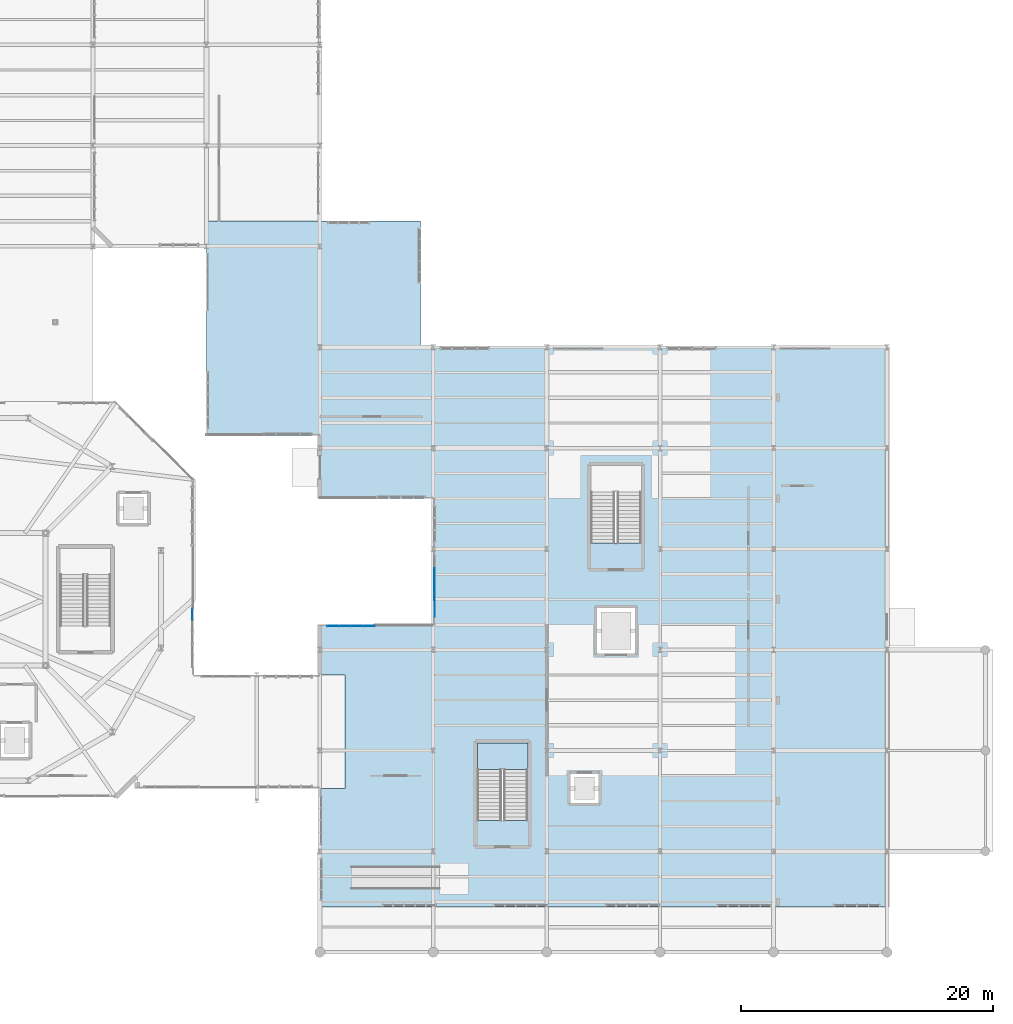
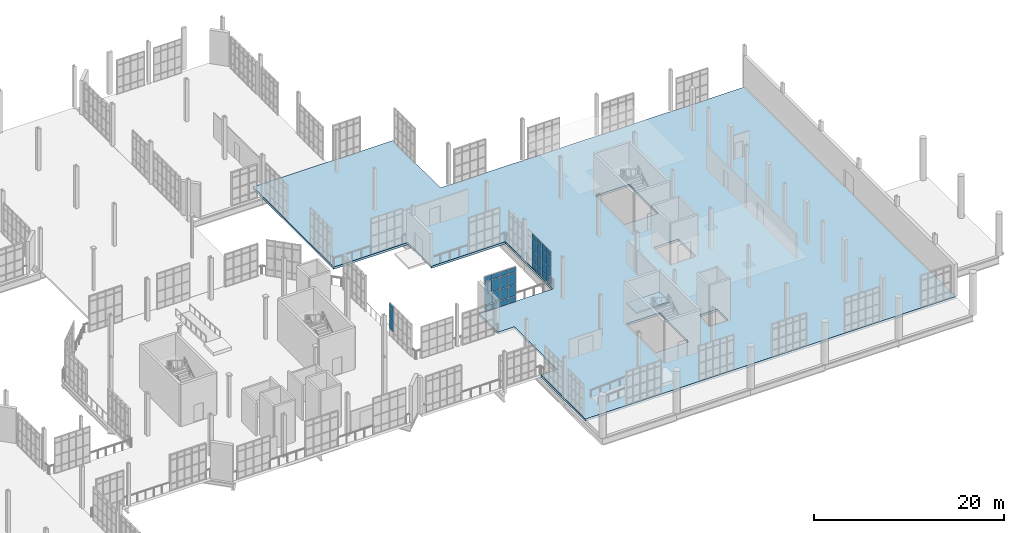
# One storey, part 151 of 189: 35 plates, 2 slabs, 4 elements without a shape of their own.
"""IFC4 building model written with IfcOpenShell, lengths in metres."""

from ifc_helpers import new_model, si_unit, direction, frame, origin, origin_2d, place, context, subcontext, project, spatial, polyline, rectangle, outline, extrude, material, layer, layer_set, type_object, element, aggregate, save


model = new_model("IFC4")

# Units and contexts
model_context = context("Model", 3, precision=1e-05, world=origin(), true_north=direction((0.0, 1.0)))
body_context = subcontext(model_context, "Body", "Model", "MODEL_VIEW")
ifc_project = project(units=[si_unit("LENGTHUNIT", "METRE"), si_unit("AREAUNIT", "SQUARE_METRE"), si_unit("VOLUMEUNIT", "CUBIC_METRE"), si_unit("PLANEANGLEUNIT", "RADIAN"), si_unit("MASSUNIT", "GRAM", prefix="KILO"), si_unit("THERMODYNAMICTEMPERATUREUNIT", "KELVIN"), si_unit("POWERUNIT", "WATT")], contexts=[model_context])

# Site, building, storey
site_placement = place(None, origin())
site = spatial("IfcSite", under=ifc_project, at=site_placement, CompositionType="ELEMENT")
building_placement = place(site_placement, origin())
building = spatial("IfcBuilding", under=site, at=building_placement, Name="Zelmaris Science Centre", CompositionType="ELEMENT")
storey_placement = place(building_placement, origin())
storey = spatial("IfcBuildingStorey", under=building, at=storey_placement, Name="L00", CompositionType="ELEMENT", Elevation=0.0)

# Curtain wall, plates
ifc_material_1 = material(Name="Anodised architectural aluminium 6063-T6", Category="aluminium")
ifc_layer_1 = layer(ifc_material_1, 0.199951171875, Name="Anodised architectural aluminium 6063-T6")
ifc_layer_set_1 = layer_set([ifc_layer_1], Name="Anodised architectural aluminium 6063-T6")
curtain_wall_type_1 = type_object("IfcCurtainWallType", Name="Curtain Wall CW-02", PredefinedType="USERDEFINED", material=ifc_layer_set_1)
curtain_wall_1_placement = place(storey_placement, origin())
curtain_wall_1 = element("IfcCurtainWall", 1, at=curtain_wall_1_placement, inside=storey, type_object=curtain_wall_type_1, Name="L00 Unitised curtain wall 66", ObjectType="GLAZED CURTAIN WALL", PredefinedType="USERDEFINED")
ifc_material_2 = material(Name="Laminated hurricane-rated low-E insulated glazing", Category="glass")
ifc_layer_2 = layer(ifc_material_2, 0.028076171875, Name="Laminated hurricane-rated low-E insulated glazing")
ifc_layer_set_2 = layer_set([ifc_layer_2], Name="Laminated hurricane-rated low-E insulated glazing")
plate_type_1 = type_object("IfcPlateType", Name="Curtain Glazing Panel CWP-2 28mm", PredefinedType="CURTAIN_PANEL", material=ifc_layer_set_2)
plate_1_placement = place(storey_placement, frame((109.04052734375, 33.8798828125, 0.052001953125), z_axis=(0.0, 0.0, 1.0), x_axis=(0.999999999666, 2.5840455e-05, 0.0)))
plate_1 = element("IfcPlate", 2, at=plate_1_placement, type_object=plate_type_1, Name="CW-02 panel 1.1", PredefinedType="CURTAIN_PANEL", context=body_context, shape_type="SweptSolid", body=[
    extrude(rectangle(XDim=0.866943359375, YDim=0.028076171875, at=origin_2d()), origin(), (0.0, 0.0, 1.0), 0.74951171875),
])
plate_2_placement = place(storey_placement, frame((109.04052734375, 33.8798828125, 0.86865234375), z_axis=(0.0, 0.0, 1.0), x_axis=(0.999999999666, 2.5840455e-05, 0.0)))
plate_2 = element("IfcPlate", 3, at=plate_2_placement, type_object=plate_type_1, Name="CW-02 panel 1.2", PredefinedType="CURTAIN_PANEL", context=body_context, shape_type="SweptSolid", body=[
    extrude(rectangle(XDim=0.866943359375, YDim=0.028076171875, at=origin_2d()), origin(), (0.0, 0.0, 1.0), 1.390380859375),
])
plate_3_placement = place(storey_placement, frame((109.04052734375, 33.8798828125, 2.325927734375), z_axis=(0.0, 0.0, 1.0), x_axis=(0.999999999666, 2.5840455e-05, 0.0)))
plate_3 = element("IfcPlate", 4, at=plate_3_placement, type_object=plate_type_1, Name="CW-02 panel 1.3", PredefinedType="CURTAIN_PANEL", context=body_context, shape_type="SweptSolid", body=[
    extrude(rectangle(XDim=0.866943359375, YDim=0.028076171875, at=origin_2d()), origin(), (0.0, 0.0, 1.0), 1.54052734375),
])
plate_4_placement = place(storey_placement, frame((109.04052734375, 33.8798828125, 3.933349609375), z_axis=(0.0, 0.0, 1.0), x_axis=(0.999999999666, 2.5840455e-05, 0.0)))
plate_4 = element("IfcPlate", 5, at=plate_4_placement, type_object=plate_type_1, Name="CW-02 panel 1.4", PredefinedType="CURTAIN_PANEL", context=body_context, shape_type="SweptSolid", body=[
    extrude(rectangle(XDim=0.866943359375, YDim=0.028076171875, at=origin_2d()), origin(), (0.0, 0.0, 1.0), 0.599609375),
])
plate_5_placement = place(storey_placement, frame((109.9912109375, 33.8798828125, 0.052001953125), z_axis=(0.0, 0.0, 1.0), x_axis=(0.999999999666, 2.5840455e-05, 0.0)))
plate_5 = element("IfcPlate", 6, at=plate_5_placement, type_object=plate_type_1, Name="CW-02 panel 2.1", PredefinedType="CURTAIN_PANEL", context=body_context, shape_type="SweptSolid", body=[
    extrude(rectangle(XDim=0.900390625, YDim=0.028076171875, at=origin_2d()), origin(), (0.0, 0.0, 1.0), 0.74951171875),
])
plate_6_placement = place(storey_placement, frame((109.9912109375, 33.8798828125, 0.86865234375), z_axis=(0.0, 0.0, 1.0), x_axis=(0.999999999666, 2.5840455e-05, 0.0)))
plate_6 = element("IfcPlate", 7, at=plate_6_placement, type_object=plate_type_1, Name="CW-02 panel 2.2", PredefinedType="CURTAIN_PANEL", context=body_context, shape_type="SweptSolid", body=[
    extrude(rectangle(XDim=0.900390625, YDim=0.028076171875, at=origin_2d()), origin(), (0.0, 0.0, 1.0), 1.390380859375),
])
plate_7_placement = place(storey_placement, frame((109.9912109375, 33.8798828125, 2.325927734375), z_axis=(0.0, 0.0, 1.0), x_axis=(0.999999999666, 2.5840455e-05, 0.0)))
plate_7 = element("IfcPlate", 8, at=plate_7_placement, type_object=plate_type_1, Name="CW-02 panel 2.3", PredefinedType="CURTAIN_PANEL", context=body_context, shape_type="SweptSolid", body=[
    extrude(rectangle(XDim=0.900390625, YDim=0.028076171875, at=origin_2d()), origin(), (0.0, 0.0, 1.0), 1.54052734375),
])
plate_8_placement = place(storey_placement, frame((109.9912109375, 33.8798828125, 3.933349609375), z_axis=(0.0, 0.0, 1.0), x_axis=(0.999999999666, 2.5840455e-05, 0.0)))
plate_8 = element("IfcPlate", 9, at=plate_8_placement, type_object=plate_type_1, Name="CW-02 panel 2.4", PredefinedType="CURTAIN_PANEL", context=body_context, shape_type="SweptSolid", body=[
    extrude(rectangle(XDim=0.900390625, YDim=0.028076171875, at=origin_2d()), origin(), (0.0, 0.0, 1.0), 0.599609375),
])
plate_9_placement = place(storey_placement, frame((110.958740234375, 33.8798828125, 0.052001953125), z_axis=(0.0, 0.0, 1.0), x_axis=(0.999999999666, 2.5840455e-05, 0.0)))
plate_9 = element("IfcPlate", 10, at=plate_9_placement, type_object=plate_type_1, Name="CW-02 panel 3.1", PredefinedType="CURTAIN_PANEL", context=body_context, shape_type="SweptSolid", body=[
    extrude(rectangle(XDim=0.900390625, YDim=0.028076171875, at=origin_2d()), origin(), (0.0, 0.0, 1.0), 0.74951171875),
])
plate_10_placement = place(storey_placement, frame((110.958740234375, 33.8798828125, 0.86865234375), z_axis=(0.0, 0.0, 1.0), x_axis=(0.999999999666, 2.5840455e-05, 0.0)))
plate_10 = element("IfcPlate", 11, at=plate_10_placement, type_object=plate_type_1, Name="CW-02 panel 3.2", PredefinedType="CURTAIN_PANEL", context=body_context, shape_type="SweptSolid", body=[
    extrude(rectangle(XDim=0.900390625, YDim=0.028076171875, at=origin_2d()), origin(), (0.0, 0.0, 1.0), 1.390380859375),
])
plate_11_placement = place(storey_placement, frame((110.958740234375, 33.8798828125, 2.325927734375), z_axis=(0.0, 0.0, 1.0), x_axis=(0.999999999666, 2.5840455e-05, 0.0)))
plate_11 = element("IfcPlate", 12, at=plate_11_placement, type_object=plate_type_1, Name="CW-02 panel 3.3", PredefinedType="CURTAIN_PANEL", context=body_context, shape_type="SweptSolid", body=[
    extrude(rectangle(XDim=0.900390625, YDim=0.028076171875, at=origin_2d()), origin(), (0.0, 0.0, 1.0), 1.54052734375),
])
plate_12_placement = place(storey_placement, frame((110.958740234375, 33.8798828125, 3.933349609375), z_axis=(0.0, 0.0, 1.0), x_axis=(0.999999999666, 2.5840455e-05, 0.0)))
plate_12 = element("IfcPlate", 13, at=plate_12_placement, type_object=plate_type_1, Name="CW-02 panel 3.4", PredefinedType="CURTAIN_PANEL", context=body_context, shape_type="SweptSolid", body=[
    extrude(rectangle(XDim=0.900390625, YDim=0.028076171875, at=origin_2d()), origin(), (0.0, 0.0, 1.0), 0.599609375),
])
plate_13_placement = place(storey_placement, frame((111.909423828125, 33.8798828125, 0.052001953125), z_axis=(0.0, 0.0, 1.0), x_axis=(0.999999999666, 2.5840455e-05, 0.0)))
plate_13 = element("IfcPlate", 14, at=plate_13_placement, type_object=plate_type_1, Name="CW-02 panel 4.1", PredefinedType="CURTAIN_PANEL", context=body_context, shape_type="SweptSolid", body=[
    extrude(rectangle(XDim=0.866943359375, YDim=0.028076171875, at=origin_2d()), origin(), (0.0, 0.0, 1.0), 0.74951171875),
])
plate_14_placement = place(storey_placement, frame((111.909423828125, 33.8798828125, 0.86865234375), z_axis=(0.0, 0.0, 1.0), x_axis=(0.999999999666, 2.5840455e-05, 0.0)))
plate_14 = element("IfcPlate", 15, at=plate_14_placement, type_object=plate_type_1, Name="CW-02 panel 4.2", PredefinedType="CURTAIN_PANEL", context=body_context, shape_type="SweptSolid", body=[
    extrude(rectangle(XDim=0.866943359375, YDim=0.028076171875, at=origin_2d()), origin(), (0.0, 0.0, 1.0), 1.390380859375),
])
plate_15_placement = place(storey_placement, frame((111.909423828125, 33.8798828125, 2.325927734375), z_axis=(0.0, 0.0, 1.0), x_axis=(0.999999999666, 2.5840455e-05, 0.0)))
plate_15 = element("IfcPlate", 16, at=plate_15_placement, type_object=plate_type_1, Name="CW-02 panel 4.3", PredefinedType="CURTAIN_PANEL", context=body_context, shape_type="SweptSolid", body=[
    extrude(rectangle(XDim=0.866943359375, YDim=0.028076171875, at=origin_2d()), origin(), (0.0, 0.0, 1.0), 1.54052734375),
])
plate_16_placement = place(storey_placement, frame((111.909423828125, 33.8798828125, 3.933349609375), z_axis=(0.0, 0.0, 1.0), x_axis=(0.999999999666, 2.5840455e-05, 0.0)))
plate_16 = element("IfcPlate", 17, at=plate_16_placement, type_object=plate_type_1, Name="CW-02 panel 4.4", PredefinedType="CURTAIN_PANEL", context=body_context, shape_type="SweptSolid", body=[
    extrude(rectangle(XDim=0.866943359375, YDim=0.028076171875, at=origin_2d()), origin(), (0.0, 0.0, 1.0), 0.599609375),
])
aggregate(curtain_wall_1, [plate_1, plate_2, plate_3, plate_4, plate_5, plate_6, plate_7, plate_8, plate_9, plate_10, plate_11, plate_12, plate_13, plate_14, plate_15, plate_16])

ifc_layer_3 = layer(ifc_material_1, 0.2099609375, Name="Anodised architectural aluminium 6063-T6")
ifc_layer_set_3 = layer_set([ifc_layer_3], Name="Anodised architectural aluminium 6063-T6")
curtain_wall_type_2 = type_object("IfcCurtainWallType", Name="Curtain Wall CW-03", PredefinedType="USERDEFINED", material=ifc_layer_set_3)
curtain_wall_2_placement = place(storey_placement, origin())
curtain_wall_2 = element("IfcCurtainWall", 18, at=curtain_wall_2_placement, inside=storey, type_object=curtain_wall_type_2, Name="L00 Unitised curtain wall 63", ObjectType="GLAZED CURTAIN WALL", PredefinedType="USERDEFINED")
ifc_layer_4 = layer(ifc_material_2, 0.02587890625, Name="Laminated hurricane-rated low-E insulated glazing")
ifc_layer_set_4 = layer_set([ifc_layer_4], Name="Laminated hurricane-rated low-E insulated glazing")
plate_type_2 = type_object("IfcPlateType", Name="Curtain Glazing Panel CWP-3 26mm", PredefinedType="CURTAIN_PANEL", material=ifc_layer_set_4)
plate_17_placement = place(storey_placement, frame((97.8798828125, 34.82177734375, 0.863525390625), z_axis=(0.0, 0.0, 1.0), x_axis=(0.0, -1.0, 0.0)))
plate_17 = element("IfcPlate", 19, at=plate_17_placement, type_object=plate_type_2, Name="CW-03 panel 1.2", PredefinedType="CURTAIN_PANEL", context=body_context, shape_type="SweptSolid", body=[
    extrude(rectangle(XDim=0.85595703125, YDim=0.02587890625, at=origin_2d()), origin(), (0.0, 0.0, 1.0), 1.205078125),
])
plate_18_placement = place(storey_placement, frame((97.8798828125, 34.82177734375, 2.12548828125), z_axis=(0.0, 0.0, 1.0), x_axis=(0.0, -1.0, 0.0)))
plate_18 = element("IfcPlate", 20, at=plate_18_placement, type_object=plate_type_2, Name="CW-03 panel 1.3", PredefinedType="CURTAIN_PANEL", context=body_context, shape_type="SweptSolid", body=[
    extrude(rectangle(XDim=0.85595703125, YDim=0.02587890625, at=origin_2d()), origin(), (0.0, 0.0, 1.0), 1.35498046875),
])
plate_19_placement = place(storey_placement, frame((97.8798828125, 34.82177734375, 3.53759765625), z_axis=(0.0, 0.0, 1.0), x_axis=(0.0, -1.0, 0.0)))
plate_19 = element("IfcPlate", 21, at=plate_19_placement, type_object=plate_type_2, Name="CW-03 panel 1.4", PredefinedType="CURTAIN_PANEL", context=body_context, shape_type="SweptSolid", body=[
    extrude(rectangle(XDim=0.85595703125, YDim=0.02587890625, at=origin_2d()), origin(), (0.0, 0.0, 1.0), 0.614501953125),
])
aggregate(curtain_wall_2, [plate_17, plate_18, plate_19])

ifc_layer_5 = layer(ifc_material_1, 0.219970703125, Name="Anodised architectural aluminium 6063-T6")
ifc_layer_set_5 = layer_set([ifc_layer_5], Name="Anodised architectural aluminium 6063-T6")
curtain_wall_type_3 = type_object("IfcCurtainWallType", Name="Curtain Wall CW-04", PredefinedType="USERDEFINED", material=ifc_layer_set_5)
curtain_wall_3_placement = place(storey_placement, origin())
curtain_wall_3 = element("IfcCurtainWall", 22, at=curtain_wall_3_placement, inside=storey, type_object=curtain_wall_type_3, Name="L00 Unitised curtain wall 68", ObjectType="GLAZED CURTAIN WALL", PredefinedType="USERDEFINED")
ifc_layer_6 = layer(ifc_material_2, 0.02392578125, Name="Laminated hurricane-rated low-E insulated glazing")
ifc_layer_set_6 = layer_set([ifc_layer_6], Name="Laminated hurricane-rated low-E insulated glazing")
plate_type_3 = type_object("IfcPlateType", Name="Curtain Glazing Panel CWP-4 24mm", PredefinedType="CURTAIN_PANEL", material=ifc_layer_set_6)
plate_20_placement = place(storey_placement, frame((117.109619140625, 35.069091796875, 0.037109375), z_axis=(0.0, 0.0, 1.0), x_axis=(-0.000347413785, 0.999999939652, 0.0)))
plate_20 = element("IfcPlate", 23, at=plate_20_placement, type_object=plate_type_3, Name="CW-04 panel 1.1", PredefinedType="CURTAIN_PANEL", context=body_context, shape_type="SweptSolid", body=[
    extrude(rectangle(XDim=0.900634765625, YDim=0.02392578125, at=origin_2d()), origin(), (0.0, 0.0, 1.0), 0.77197265625),
])
plate_21_placement = place(storey_placement, frame((117.109619140625, 35.069091796875, 0.86083984375), z_axis=(0.0, 0.0, 1.0), x_axis=(-0.000347413785, 0.999999939652, 0.0)))
plate_21 = element("IfcPlate", 24, at=plate_21_placement, type_object=plate_type_3, Name="CW-04 panel 1.2", PredefinedType="CURTAIN_PANEL", context=body_context, shape_type="SweptSolid", body=[
    extrude(rectangle(XDim=0.900634765625, YDim=0.02392578125, at=origin_2d()), origin(), (0.0, 0.0, 1.0), 1.30908203125),
])
plate_22_placement = place(storey_placement, frame((117.109619140625, 35.069091796875, 2.221923828125), z_axis=(0.0, 0.0, 1.0), x_axis=(-0.000347413785, 0.999999939652, 0.0)))
plate_22 = element("IfcPlate", 25, at=plate_22_placement, type_object=plate_type_3, Name="CW-04 panel 1.3", PredefinedType="CURTAIN_PANEL", context=body_context, shape_type="SweptSolid", body=[
    extrude(rectangle(XDim=0.900634765625, YDim=0.02392578125, at=origin_2d()), origin(), (0.0, 0.0, 1.0), 1.458984375),
])
plate_23_placement = place(storey_placement, frame((117.109619140625, 35.069091796875, 3.73291015625), z_axis=(0.0, 0.0, 1.0), x_axis=(-0.000347413785, 0.999999939652, 0.0)))
plate_23 = element("IfcPlate", 26, at=plate_23_placement, type_object=plate_type_3, Name="CW-04 panel 1.4", PredefinedType="CURTAIN_PANEL", context=body_context, shape_type="SweptSolid", body=[
    extrude(rectangle(XDim=0.900634765625, YDim=0.02392578125, at=origin_2d()), origin(), (0.0, 0.0, 1.0), 0.6220703125),
])
plate_24_placement = place(storey_placement, frame((117.109130859375, 36.03466796875, 0.037109375), z_axis=(0.0, 0.0, 1.0), x_axis=(-0.000347413785, 0.999999939652, 0.0)))
plate_24 = element("IfcPlate", 27, at=plate_24_placement, type_object=plate_type_3, Name="CW-04 panel 2.1", PredefinedType="CURTAIN_PANEL", context=body_context, shape_type="SweptSolid", body=[
    extrude(rectangle(XDim=0.9267578125, YDim=0.02392578125, at=origin_2d()), origin(), (0.0, 0.0, 1.0), 0.77197265625),
])
plate_25_placement = place(storey_placement, frame((117.109130859375, 36.03466796875, 0.86083984375), z_axis=(0.0, 0.0, 1.0), x_axis=(-0.000347413785, 0.999999939652, 0.0)))
plate_25 = element("IfcPlate", 28, at=plate_25_placement, type_object=plate_type_3, Name="CW-04 panel 2.2", PredefinedType="CURTAIN_PANEL", context=body_context, shape_type="SweptSolid", body=[
    extrude(rectangle(XDim=0.9267578125, YDim=0.02392578125, at=origin_2d()), origin(), (0.0, 0.0, 1.0), 1.30908203125),
])
plate_26_placement = place(storey_placement, frame((117.109130859375, 36.03466796875, 2.221923828125), z_axis=(0.0, 0.0, 1.0), x_axis=(-0.000347413785, 0.999999939652, 0.0)))
plate_26 = element("IfcPlate", 29, at=plate_26_placement, type_object=plate_type_3, Name="CW-04 panel 2.3", PredefinedType="CURTAIN_PANEL", context=body_context, shape_type="SweptSolid", body=[
    extrude(rectangle(XDim=0.9267578125, YDim=0.02392578125, at=origin_2d()), origin(), (0.0, 0.0, 1.0), 1.458984375),
])
plate_27_placement = place(storey_placement, frame((117.109130859375, 36.03466796875, 3.73291015625), z_axis=(0.0, 0.0, 1.0), x_axis=(-0.000347413785, 0.999999939652, 0.0)))
plate_27 = element("IfcPlate", 30, at=plate_27_placement, type_object=plate_type_3, Name="CW-04 panel 2.4", PredefinedType="CURTAIN_PANEL", context=body_context, shape_type="SweptSolid", body=[
    extrude(rectangle(XDim=0.9267578125, YDim=0.02392578125, at=origin_2d()), origin(), (0.0, 0.0, 1.0), 0.6220703125),
])
plate_28_placement = place(storey_placement, frame((117.10888671875, 37.013427734375, 0.037109375), z_axis=(0.0, 0.0, 1.0), x_axis=(-0.000347413785, 0.999999939652, 0.0)))
plate_28 = element("IfcPlate", 31, at=plate_28_placement, type_object=plate_type_3, Name="CW-04 panel 3.1", PredefinedType="CURTAIN_PANEL", context=body_context, shape_type="SweptSolid", body=[
    extrude(rectangle(XDim=0.9267578125, YDim=0.02392578125, at=origin_2d()), origin(), (0.0, 0.0, 1.0), 0.77197265625),
])
plate_29_placement = place(storey_placement, frame((117.10888671875, 37.013427734375, 0.86083984375), z_axis=(0.0, 0.0, 1.0), x_axis=(-0.000347413785, 0.999999939652, 0.0)))
plate_29 = element("IfcPlate", 32, at=plate_29_placement, type_object=plate_type_3, Name="CW-04 panel 3.2", PredefinedType="CURTAIN_PANEL", context=body_context, shape_type="SweptSolid", body=[
    extrude(rectangle(XDim=0.9267578125, YDim=0.02392578125, at=origin_2d()), origin(), (0.0, 0.0, 1.0), 1.30908203125),
])
plate_30_placement = place(storey_placement, frame((117.10888671875, 37.013427734375, 2.221923828125), z_axis=(0.0, 0.0, 1.0), x_axis=(-0.000347413785, 0.999999939652, 0.0)))
plate_30 = element("IfcPlate", 33, at=plate_30_placement, type_object=plate_type_3, Name="CW-04 panel 3.3", PredefinedType="CURTAIN_PANEL", context=body_context, shape_type="SweptSolid", body=[
    extrude(rectangle(XDim=0.9267578125, YDim=0.02392578125, at=origin_2d()), origin(), (0.0, 0.0, 1.0), 1.458984375),
])
plate_31_placement = place(storey_placement, frame((117.10888671875, 37.013427734375, 3.73291015625), z_axis=(0.0, 0.0, 1.0), x_axis=(-0.000347413785, 0.999999939652, 0.0)))
plate_31 = element("IfcPlate", 34, at=plate_31_placement, type_object=plate_type_3, Name="CW-04 panel 3.4", PredefinedType="CURTAIN_PANEL", context=body_context, shape_type="SweptSolid", body=[
    extrude(rectangle(XDim=0.9267578125, YDim=0.02392578125, at=origin_2d()), origin(), (0.0, 0.0, 1.0), 0.6220703125),
])
plate_32_placement = place(storey_placement, frame((117.1083984375, 37.991943359375, 0.037109375), z_axis=(0.0, 0.0, 1.0), x_axis=(-0.000347413785, 0.999999939652, 0.0)))
plate_32 = element("IfcPlate", 35, at=plate_32_placement, type_object=plate_type_3, Name="CW-04 panel 4.1", PredefinedType="CURTAIN_PANEL", context=body_context, shape_type="SweptSolid", body=[
    extrude(rectangle(XDim=0.9267578125, YDim=0.02392578125, at=origin_2d()), origin(), (0.0, 0.0, 1.0), 0.77197265625),
])
plate_33_placement = place(storey_placement, frame((117.1083984375, 37.991943359375, 0.86083984375), z_axis=(0.0, 0.0, 1.0), x_axis=(-0.000347413785, 0.999999939652, 0.0)))
plate_33 = element("IfcPlate", 36, at=plate_33_placement, type_object=plate_type_3, Name="CW-04 panel 4.2", PredefinedType="CURTAIN_PANEL", context=body_context, shape_type="SweptSolid", body=[
    extrude(rectangle(XDim=0.9267578125, YDim=0.02392578125, at=origin_2d()), origin(), (0.0, 0.0, 1.0), 1.30908203125),
])
plate_34_placement = place(storey_placement, frame((117.1083984375, 37.991943359375, 2.221923828125), z_axis=(0.0, 0.0, 1.0), x_axis=(-0.000347413785, 0.999999939652, 0.0)))
plate_34 = element("IfcPlate", 37, at=plate_34_placement, type_object=plate_type_3, Name="CW-04 panel 4.3", PredefinedType="CURTAIN_PANEL", context=body_context, shape_type="SweptSolid", body=[
    extrude(rectangle(XDim=0.9267578125, YDim=0.02392578125, at=origin_2d()), origin(), (0.0, 0.0, 1.0), 1.458984375),
])
plate_35_placement = place(storey_placement, frame((117.1083984375, 37.991943359375, 3.73291015625), z_axis=(0.0, 0.0, 1.0), x_axis=(-0.000347413785, 0.999999939652, 0.0)))
plate_35 = element("IfcPlate", 38, at=plate_35_placement, type_object=plate_type_3, Name="CW-04 panel 4.4", PredefinedType="CURTAIN_PANEL", context=body_context, shape_type="SweptSolid", body=[
    extrude(rectangle(XDim=0.9267578125, YDim=0.02392578125, at=origin_2d()), origin(), (0.0, 0.0, 1.0), 0.6220703125),
])
aggregate(curtain_wall_3, [plate_20, plate_21, plate_22, plate_23, plate_24, plate_25, plate_26, plate_27, plate_28, plate_29, plate_30, plate_31, plate_32, plate_33, plate_34, plate_35])

# Slab
ifc_material_3 = material(Name="Concrete C35/45", Category="concrete")
ifc_layer_7 = layer(ifc_material_3, 0.2900390625, Name="Concrete C35/45")
ifc_layer_set_7 = layer_set([ifc_layer_7], Name="Concrete C35/45")
slab_type_1 = type_object("IfcSlabType", Name="Slab SL-FL290 290mm", PredefinedType="FLOOR", material=ifc_layer_set_7)
slab_1_placement = place(storey_placement, frame((0.0, 0.0, -0.2900390625)))
element("IfcSlab", 39, at=slab_1_placement, inside=storey, type_object=slab_type_1, Name="L00 Entrance and workshops slab", PredefinedType="FLOOR", context=body_context, shape_type="SweptSolid", body=[
    extrude(outline(polyline([(153.0, 11.60009765625), (108.0, 11.60009765625), (108.0, 21.00390625), (109.99609375, 21.00390625), (109.99609375, 29.99609375), (108.0, 29.99609375), (108.0, 34.0), (117.0, 34.0), (117.0, 44.0), (108.0, 44.0), (108.0, 49.0), (99.0, 49.0), (99.0, 66.0), (116.0, 66.0), (116.0, 56.0), (153.0, 56.0), (153.0, 11.60009765625)]), holes=[polyline([(124.5, 18.469970703125), (124.5, 24.60009765625), (120.5, 24.60009765625), (120.5, 18.469970703125), (124.5, 18.469970703125)]), polyline([(133.5, 40.469970703125), (133.5, 46.60009765625), (129.5, 46.60009765625), (129.5, 40.469970703125), (133.5, 40.469970703125)]), polyline([(127.89990234375, 19.85009765625), (130.10009765625, 19.85009765625), (130.10009765625, 22.14990234375), (127.89990234375, 22.14990234375), (127.89990234375, 19.85009765625)]), polyline([(130.0, 31.699951171875), (133.0, 31.699951171875), (133.0, 35.300048828125), (130.0, 35.300048828125), (130.0, 31.699951171875)])]), origin(), (0.0, 0.0, 1.0), 0.2900390625),
])

# Stair, slab
ifc_material_4 = material(Name="Concrete C40/50", Category="concrete")
stair_type = type_object("IfcStairType", Name="Exit Stair ST-A W1900", PredefinedType="HALF_TURN_STAIR", material=ifc_material_4)
stair_placement = place(storey_placement, origin())
stair = element("IfcStair", 40, at=stair_placement, inside=storey, type_object=stair_type, Name="L00 Exit Stair Core ST-4", PredefinedType="HALF_TURN_STAIR")
ifc_layer_8 = layer(ifc_material_3, 0.18994140625, Name="Concrete C35/45")
ifc_layer_set_8 = layer_set([ifc_layer_8], Name="Concrete C35/45")
slab_type_2 = type_object("IfcSlabType", Name="Slab SL-LD190 190mm", PredefinedType="LANDING", material=ifc_layer_set_8)
slab_2_placement = place(storey_placement, frame((0.0, 0.0, 2.510009765625)))
slab_2 = element("IfcSlab", 41, at=slab_2_placement, type_object=slab_type_2, Name="ST-4 landing 1", PredefinedType="LANDING", context=body_context, shape_type="SweptSolid", body=[
    extrude(outline(polyline([(124.5, 22.510009765625), (124.5, 24.60009765625), (120.5, 24.60009765625), (120.5, 22.510009765625), (124.5, 22.510009765625)])), origin(), (0.0, 0.0, 1.0), 0.18994140625),
])
aggregate(stair, [slab_2])

save(model, "model.ifc")
